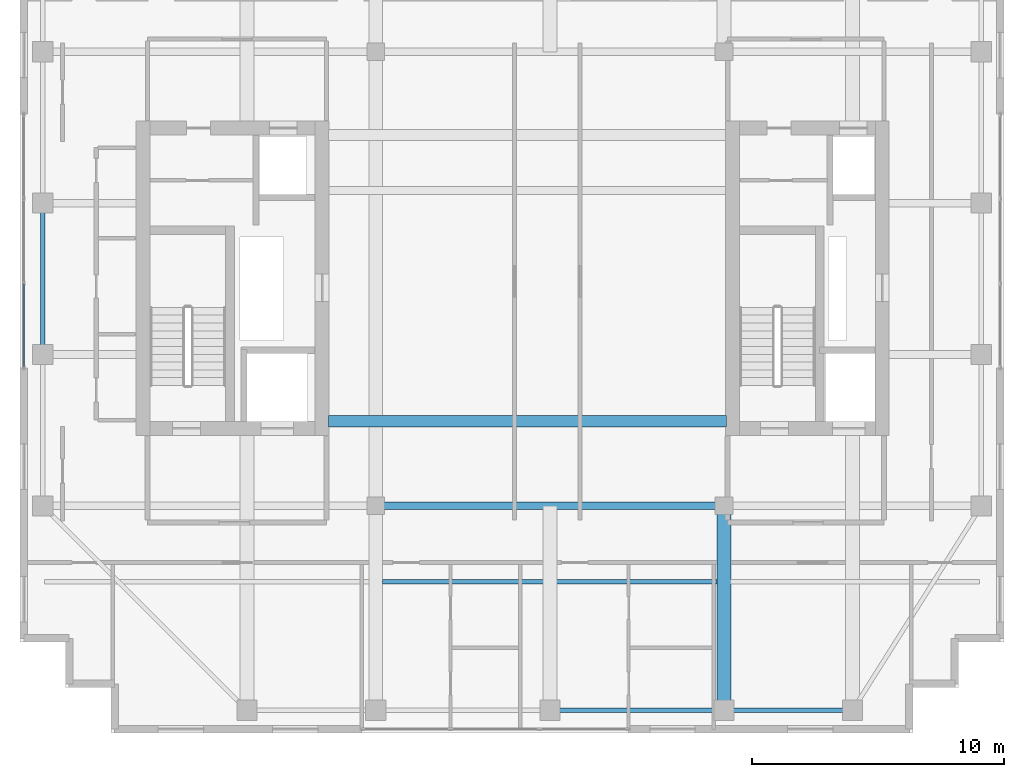
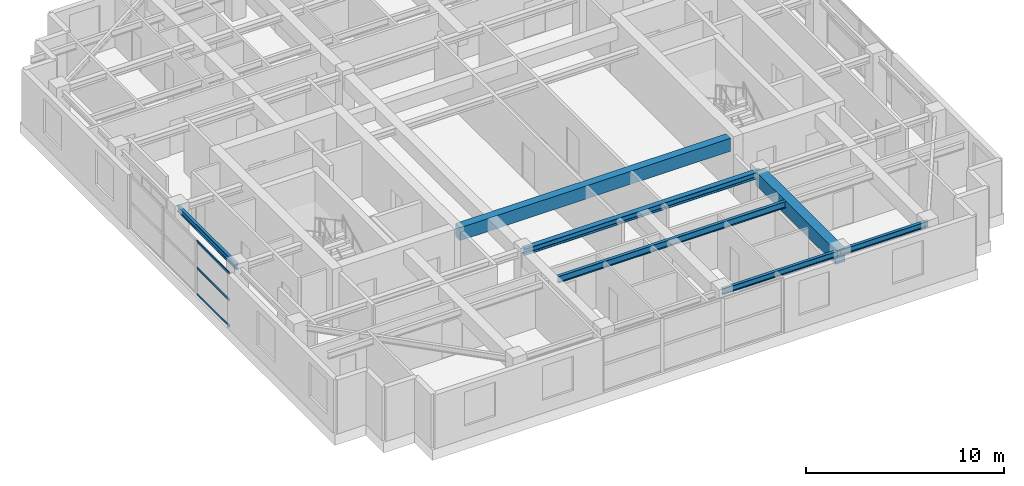
# One storey, part 5 of 21: 7 beams, 3 members, 1 element without a shape of its own.
"""IFC4 building model written with IfcOpenShell, lengths in metres."""

from ifc_helpers import new_model, si_unit, direction, frame, origin, origin_2d, place, context, subcontext, project, spatial, rectangle, hollow_rectangle, i_section, extrude, source, transform, mapped, material, layer, layer_set, material_profile, profile_set, type_object, element, aggregate, save


model = new_model("IFC4")

# Units and contexts
model_context = context("Model", 3, precision=1e-05, world=origin(), true_north=direction((0.0, 1.0)))
body_context = subcontext(model_context, "Body", "Model", "MODEL_VIEW")
ifc_project = project(units=[si_unit("LENGTHUNIT", "METRE"), si_unit("AREAUNIT", "SQUARE_METRE"), si_unit("VOLUMEUNIT", "CUBIC_METRE"), si_unit("PLANEANGLEUNIT", "RADIAN"), si_unit("MASSUNIT", "GRAM", prefix="KILO")], contexts=[model_context])

# Site, building, storey
site_placement = place(None, origin())
site = spatial("IfcSite", under=ifc_project, at=site_placement, CompositionType="ELEMENT")
building_placement = place(site_placement, origin())
building = spatial("IfcBuilding", under=site, at=building_placement, Name="Khoralis Quay Care Tower", CompositionType="ELEMENT")
storey_placement = place(building_placement, frame((0.0, 0.0, 267.300048828125)))
storey = spatial("IfcBuildingStorey", under=building, at=storey_placement, Name="L70", CompositionType="ELEMENT", Elevation=267.300048828125)

# Beams
ifc_material_1 = material(Name="Concrete C50/60", Category="concrete")
ifc_material_profile_1 = material_profile(ifc_material_1, rectangle(XDim=0.449951171875, YDim=0.800048828125, at=origin_2d()), Name="Concrete C50/60")
ifc_profile_set_1 = profile_set([ifc_material_profile_1], Name="Concrete C50/60")
beam_type_1 = type_object("IfcBeamType", Name="CB-RC450X800", PredefinedType="LINTEL", material=ifc_profile_set_1)
shared_shape_1 = source(origin(), body_context, "Body", "SweptSolid", [
    extrude(rectangle(XDim=0.449951171875, YDim=0.800048828125, at=origin_2d()), origin(), (0.0, 0.0, 1.0), 15.780029296875),
])
beam_1_placement = place(storey_placement, frame((15.219970703125, 15.35009765625, 2.919921875), z_axis=(1.0, 0.0, 0.0), x_axis=(0.0, 1.0, 0.0)))
element("IfcBeam", 1, at=beam_1_placement, inside=storey, type_object=beam_type_1, Name="L70 South Core Coupling Lintel", PredefinedType="LINTEL", context=body_context, shape_type="MappedRepresentation", body=[
    mapped(shared_shape_1, transform((0.0, 0.0, 0.0), scale=1.0)),
])
ifc_material_2 = material(Name="Steel S355", Category="steel")
ifc_material_profile_2 = material_profile(ifc_material_2, i_section(OverallWidth=0.169921875, OverallDepth=0.360107421875, WebThickness=0.008056640625, FlangeThickness=0.0126953125, FilletRadius=0.01806640625, at=origin_2d()), Name="Steel S355")
ifc_profile_set_2 = profile_set([ifc_material_profile_2], Name="Steel S355")
beam_type_2 = type_object("IfcBeamType", Name="BM-IPE360", PredefinedType="SPANDREL", material=ifc_profile_set_2)
shared_shape_2 = source(origin(), body_context, "Body", "SweptSolid", [
    extrude(i_section(OverallWidth=0.169921875, OverallDepth=0.360107421875, WebThickness=0.008056640625, FlangeThickness=0.0126953125, FilletRadius=0.01806640625, at=origin_2d()), origin(), (0.0, 0.0, 1.0), 5.10009765625),
])
beam_2_placement = place(storey_placement, frame((30.89990234375, 3.89990234375, 3.139892578125), z_axis=(1.0, 0.0, 0.0), x_axis=(0.0, 1.0, 0.0)))
element("IfcBeam", 2, at=beam_2_placement, inside=storey, type_object=beam_type_2, Name="BM-TSP-L70-04", PredefinedType="SPANDREL", context=body_context, shape_type="MappedRepresentation", body=[
    mapped(shared_shape_2, transform((0.0, 0.0, 0.0), scale=1.0)),
])
shared_shape_3 = source(origin(), body_context, "Body", "SweptSolid", [
    extrude(i_section(OverallWidth=0.169921875, OverallDepth=0.360107421875, WebThickness=0.008056640625, FlangeThickness=0.0126953125, FilletRadius=0.01806640625, at=origin_2d()), origin(), (0.0, 0.0, 1.0), 6.0),
])
beam_3_placement = place(storey_placement, frame((3.89990234375, 18.0, 3.139892578125), z_axis=(0.0, 1.0, 0.0), x_axis=(-1.0, 0.0, 0.0)))
element("IfcBeam", 3, at=beam_3_placement, inside=storey, type_object=beam_type_2, Name="BM-TSP-L70-10", PredefinedType="SPANDREL", context=body_context, shape_type="MappedRepresentation", body=[
    mapped(shared_shape_3, transform((0.0, 0.0, 0.0), scale=1.0)),
])
ifc_material_profile_3 = material_profile(ifc_material_1, rectangle(XDim=0.550048828125, YDim=0.85009765625, at=origin_2d()), Name="Concrete C50/60")
ifc_profile_set_3 = profile_set([ifc_material_profile_3], Name="Concrete C50/60")
beam_type_3 = type_object("IfcBeamType", Name="BM-RC550X850", PredefinedType="BEAM", material=ifc_profile_set_3)
shared_shape_4 = source(origin(), body_context, "Body", "SweptSolid", [
    extrude(rectangle(XDim=0.550048828125, YDim=0.85009765625, at=origin_2d()), origin(), (0.0, 0.0, 1.0), 8.10009765625),
])
beam_4_placement = place(storey_placement, frame((30.89990234375, 3.89990234375, 2.89501953125), z_axis=(0.0, 1.0, 0.0), x_axis=(-1.0, 0.0, 0.0)))
element("IfcBeam", 4, at=beam_4_placement, inside=storey, type_object=beam_type_3, Name="BM-TGYS-L70-309", PredefinedType="BEAM", context=body_context, shape_type="MappedRepresentation", body=[
    mapped(shared_shape_4, transform((0.0, 0.0, 0.0), scale=1.0)),
])
shared_shape_5 = source(origin(), body_context, "Body", "SweptSolid", [
    extrude(i_section(OverallWidth=0.169921875, OverallDepth=0.360107421875, WebThickness=0.008056640625, FlangeThickness=0.0126953125, FilletRadius=0.01806640625, at=origin_2d()), origin(), (0.0, 0.0, 1.0), 6.89990234375),
])
beam_5_placement = place(storey_placement, frame((24.0, 3.89990234375, 3.139892578125), z_axis=(1.0, 0.0, 0.0), x_axis=(0.0, 1.0, 0.0)))
element("IfcBeam", 5, at=beam_5_placement, inside=storey, type_object=beam_type_2, Name="BM-TSP-L70-03", PredefinedType="SPANDREL", context=body_context, shape_type="MappedRepresentation", body=[
    mapped(shared_shape_5, transform((0.0, 0.0, 0.0), scale=1.0)),
])
ifc_material_profile_4 = material_profile(ifc_material_2, i_section(OverallWidth=0.300048828125, OverallDepth=0.39990234375, WebThickness=0.013427734375, FlangeThickness=0.02392578125, FilletRadius=0.027099609375, at=origin_2d()), Name="Steel S355")
ifc_profile_set_4 = profile_set([ifc_material_profile_4], Name="Steel S355")
beam_type_4 = type_object("IfcBeamType", Name="BM-HEB400", PredefinedType="BEAM", material=ifc_profile_set_4)
shared_shape_6 = source(origin(), body_context, "Body", "SweptSolid", [
    extrude(i_section(OverallWidth=0.300048828125, OverallDepth=0.39990234375, WebThickness=0.013427734375, FlangeThickness=0.02392578125, FilletRadius=0.027099609375, at=origin_2d()), origin(), (0.0, 0.0, 1.0), 13.7998046875),
])
beam_6_placement = place(storey_placement, frame((17.10009765625, 12.0, 3.119873046875), z_axis=(1.0, 0.0, 0.0), x_axis=(0.0, 1.0, 0.0)))
element("IfcBeam", 6, at=beam_6_placement, inside=storey, type_object=beam_type_4, Name="BM-TGCC-L70-120", PredefinedType="BEAM", context=body_context, shape_type="MappedRepresentation", body=[
    mapped(shared_shape_6, transform((0.0, 0.0, 0.0), scale=1.0)),
])
ifc_material_profile_5 = material_profile(ifc_material_2, i_section(OverallWidth=0.177978515625, OverallDepth=0.406982421875, WebThickness=0.0078125, FlangeThickness=0.0126953125, FilletRadius=0.012939453125, at=origin_2d()), Name="Steel S355")
ifc_profile_set_5 = profile_set([ifc_material_profile_5], Name="Steel S355")
beam_type_5 = type_object("IfcBeamType", Name="BM-W410X60", PredefinedType="JOIST", material=ifc_profile_set_5)
shared_shape_7 = source(origin(), body_context, "Body", "SweptSolid", [
    extrude(i_section(OverallWidth=0.177978515625, OverallDepth=0.406982421875, WebThickness=0.0078125, FlangeThickness=0.0126953125, FilletRadius=0.012939453125, at=origin_2d()), origin(), (0.0, 0.0, 1.0), 13.27392578125),
])
beam_7_placement = place(storey_placement, frame((17.363037109375, 9.0, 3.116455078125), z_axis=(1.0, 0.0, 0.0), x_axis=(0.0, 1.0, 0.0)))
element("IfcBeam", 7, at=beam_7_placement, inside=storey, type_object=beam_type_5, Name="BM-TJS-L70-23", PredefinedType="JOIST", context=body_context, shape_type="MappedRepresentation", body=[
    mapped(shared_shape_7, transform((0.0, 0.0, 0.0), scale=1.0)),
])

# Curtain wall, members
ifc_material_3 = material(Name="Pale anodised aluminium", Category="aluminium")
ifc_layer = layer(ifc_material_3, 0.159912109375)
ifc_layer_set = layer_set([ifc_layer], Name="Pale anodised aluminium")
curtain_wall_type = type_object("IfcCurtainWallType", Name="CW-SYS-Z3", PredefinedType="NOTDEFINED", material=ifc_layer_set)
curtain_wall_placement = place(storey_placement, origin())
curtain_wall = element("IfcCurtainWall", 8, at=curtain_wall_placement, inside=storey, type_object=curtain_wall_type, Name="L70 Unitised Curtain Wall CW-L70-P1-E15", PredefinedType="NOTDEFINED")
ifc_material_profile_6 = material_profile(ifc_material_3, hollow_rectangle(XDim=0.06005859375, YDim=0.139892578125, WallThickness=0.00390625, at=origin_2d()), Name="Pale anodised aluminium")
ifc_profile_set_6 = profile_set([ifc_material_profile_6], Name="Pale anodised aluminium")
member_type = type_object("IfcMemberType", Name="CW-TRN-140", PredefinedType="USERDEFINED", material=ifc_profile_set_6)
shared_shape_8 = source(origin(), body_context, "Body", "SweptSolid", [
    extrude(hollow_rectangle(XDim=0.06005859375, YDim=0.139892578125, WallThickness=0.00390625, at=origin_2d()), origin(), (0.0, 0.0, 1.0), 3.27001953125),
])
member_1_placement = place(storey_placement, frame((3.14990234375, 20.7900390625, 0.030029296875), z_axis=(0.0, -1.0, 0.0), x_axis=(1.0, 0.0, 0.0)))
member_1 = element("IfcMember", 9, at=member_1_placement, type_object=member_type, Name="CW3 transom 3.1", ObjectType="TRANSOM", PredefinedType="USERDEFINED", context=body_context, shape_type="MappedRepresentation", body=[
    mapped(shared_shape_8, transform((0.0, 0.0, 0.0), scale=1.0)),
])
member_2_placement = place(storey_placement, frame((3.14990234375, 20.7900390625, 1.659912109375), z_axis=(0.0, -1.0, 0.0), x_axis=(1.0, 0.0, 0.0)))
member_2 = element("IfcMember", 10, at=member_2_placement, type_object=member_type, Name="CW3 transom 3.2", ObjectType="TRANSOM", PredefinedType="USERDEFINED", context=body_context, shape_type="MappedRepresentation", body=[
    mapped(shared_shape_8, transform((0.0, 0.0, 0.0), scale=1.0)),
])
member_3_placement = place(storey_placement, frame((3.14990234375, 20.7900390625, 3.2900390625), z_axis=(0.0, -1.0, 0.0), x_axis=(1.0, 0.0, 0.0)))
member_3 = element("IfcMember", 11, at=member_3_placement, type_object=member_type, Name="CW3 transom 3.3", ObjectType="TRANSOM", PredefinedType="USERDEFINED", context=body_context, shape_type="MappedRepresentation", body=[
    mapped(shared_shape_8, transform((0.0, 0.0, 0.0), scale=1.0)),
])
aggregate(curtain_wall, [member_1, member_2, member_3])

save(model, "model.ifc")
